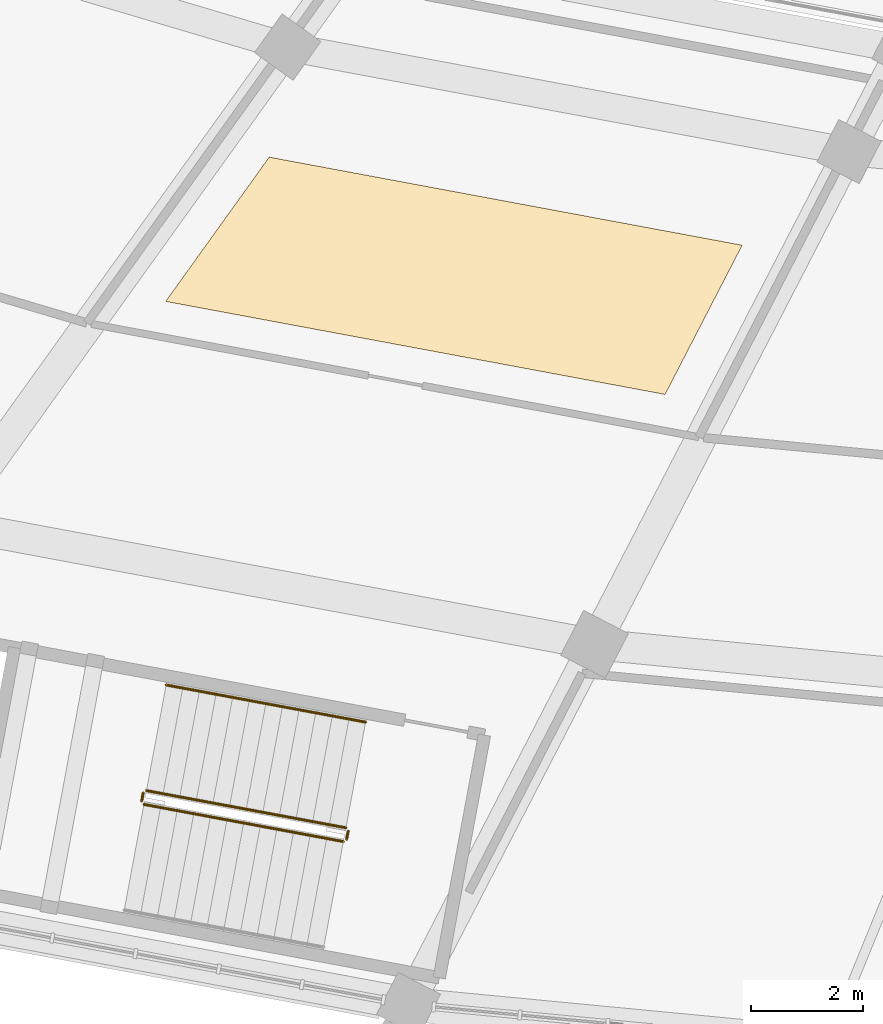
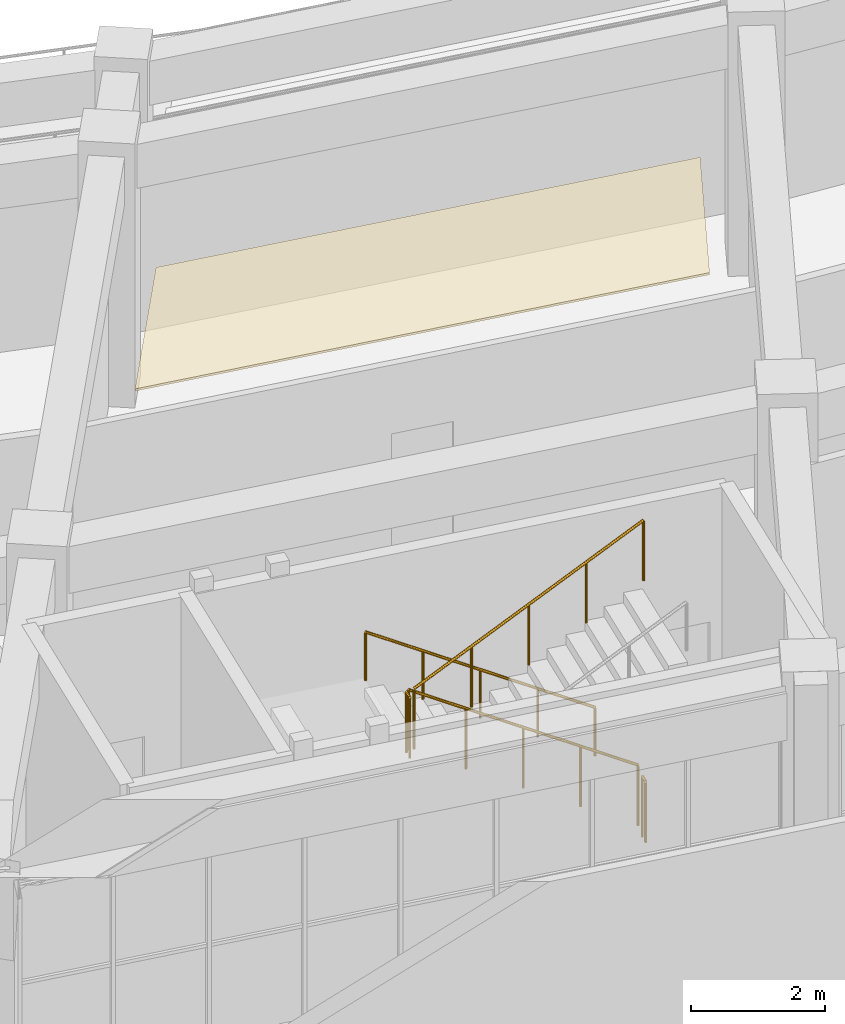
# One storey, part 125 of 152: 5 railings, 1 covering.
"""IFC4 building model written with IfcOpenShell, lengths in metres."""

from ifc_helpers import new_model, si_unit, direction, frame, origin, origin_2d, place, context, subcontext, project, spatial, polyline, circle, outline, extrude, material, layer, layer_set, type_object, element, save


model = new_model("IFC4")

# Units and contexts
model_context = context("Model", 3, precision=1e-05, world=origin(), true_north=direction((0.0, 1.0)))
body_context = subcontext(model_context, "Body", "Model", "MODEL_VIEW")
ifc_project = project(units=[si_unit("LENGTHUNIT", "METRE"), si_unit("AREAUNIT", "SQUARE_METRE"), si_unit("VOLUMEUNIT", "CUBIC_METRE"), si_unit("PLANEANGLEUNIT", "RADIAN"), si_unit("MASSUNIT", "GRAM", prefix="KILO")], contexts=[model_context])

# Site, building, storey
site_placement = place(None, origin())
site = spatial("IfcSite", under=ifc_project, at=site_placement, CompositionType="ELEMENT")
building_placement = place(site_placement, origin())
building = spatial("IfcBuilding", under=site, at=building_placement, Name="Mphavela Belvedere Stadium", CompositionType="ELEMENT")
storey_placement = place(building_placement, frame((0.0, 0.0, 5.39990234375)))
storey = spatial("IfcBuildingStorey", under=building, at=storey_placement, Name="L01", CompositionType="ELEMENT", Elevation=5.39990234375)

# Covering
ifc_material_1 = material(Name="Perforated acoustic mineral ceiling tile")
ifc_layer = layer(ifc_material_1, 0.0400390625)
ifc_layer_set = layer_set([ifc_layer], Name="Perforated acoustic mineral ceiling tile")
covering_type = type_object("IfcCoveringType", Name="COV-CEILING-ACOUSTIC", PredefinedType="CEILING", material=ifc_layer_set)
covering_placement = place(storey_placement, frame((0.0, 0.0, 3.5)))
element("IfcCovering", 1, at=covering_placement, inside=storey, type_object=covering_type, Name="Concourse acoustic ceiling L01-34", PredefinedType="CEILING", context=body_context, shape_type="SweptSolid", body=[
    extrude(outline(polyline([(75.439453125, 30.367431640625), (83.8876953125, 28.7939453125), (82.510986328125, 26.129150390625), (73.590087890625, 27.79052734375), (75.439453125, 30.367431640625)])), origin(), (0.0, 0.0, 1.0), 0.0400390625),
])

# Railings
ifc_material_2 = material(Name="Painted galvanised steel stair guardrail", Category="steel")
railing_type_1 = type_object("IfcRailingType", Name="RAL-GUARD-1120", PredefinedType="GUARDRAIL", material=ifc_material_2)
railing_1_placement = place(storey_placement, frame((76.809814453125, 18.387939453125, 0.184814453125)))
element("IfcRailing", 2, at=railing_1_placement, inside=storey, type_object=railing_type_1, Name="L01 ST-C11 stair guard 1", PredefinedType="GUARDRAIL", context=body_context, shape_type="SweptSolid", body=[
    extrude(circle(Radius=0.02392578125, at=origin_2d()), frame((0.0, 0.0, 1.09619140625), z_axis=(-0.838788087983, 0.156227370872, 0.521562606068), x_axis=(-0.183104767783, -0.983093405539, 0.0)), (0.0, 0.0, 1.0), 4.24755859375),
    extrude(circle(Radius=0.02099609375, at=origin_2d()), origin(), (0.0, 0.0, 1.0), 1.072021484375),
    extrude(circle(Radius=0.02099609375, at=origin_2d()), frame((-0.890625, 0.166015625, 0.5537109375)), (0.0, 0.0, 1.0), 1.072021484375),
    extrude(circle(Radius=0.02099609375, at=origin_2d()), frame((-1.78125, 0.331787109375, 1.107666015625)), (0.0, 0.0, 1.0), 1.072021484375),
    extrude(circle(Radius=0.02099609375, at=origin_2d()), frame((-2.672119140625, 0.49755859375, 1.66162109375)), (0.0, 0.0, 1.0), 1.072021484375),
    extrude(circle(Radius=0.02099609375, at=origin_2d()), frame((-3.562744140625, 0.66357421875, 2.21533203125)), (0.0, 0.0, 1.0), 1.072021484375),
])
railing_2_placement = place(storey_placement, frame((73.188720703125, 19.011474609375, 2.400146484375)))
element("IfcRailing", 3, at=railing_2_placement, inside=storey, type_object=railing_type_1, Name="L01 ST-C11 stair guard 2", PredefinedType="GUARDRAIL", context=body_context, shape_type="SweptSolid", body=[
    extrude(circle(Radius=0.02392578125, at=origin_2d()), frame((0.0, 0.0, 1.09619140625), z_axis=(-0.182322426032, -0.983238797529, 0.0), x_axis=(0.983238797529, -0.182322426032, 0.0)), (0.0, 0.0, 1.0), 0.14990234375),
    extrude(circle(Radius=0.02099609375, at=origin_2d()), origin(), (0.0, 0.0, 1.0), 1.072021484375),
    extrude(circle(Radius=0.02099609375, at=origin_2d()), frame((-0.02734375, -0.1474609375, 0.0)), (0.0, 0.0, 1.0), 1.072021484375),
])
railing_3_placement = place(storey_placement, frame((73.201416015625, 18.8056640625, 2.584716796875)))
element("IfcRailing", 4, at=railing_3_placement, inside=storey, type_object=railing_type_1, Name="L01 ST-C11 stair guard 3", PredefinedType="GUARDRAIL", context=body_context, shape_type="SweptSolid", body=[
    extrude(circle(Radius=0.02392578125, at=origin_2d()), frame((0.0, 0.0, 1.09619140625), z_axis=(0.838788087983, -0.156227370872, 0.521562606068), x_axis=(0.183104767783, 0.983093405539, 0.0)), (0.0, 0.0, 1.0), 4.24755859375),
    extrude(circle(Radius=0.02099609375, at=origin_2d()), origin(), (0.0, 0.0, 1.0), 1.072021484375),
    extrude(circle(Radius=0.02099609375, at=origin_2d()), frame((0.890625, -0.166015625, 0.5537109375)), (0.0, 0.0, 1.0), 1.072021484375),
    extrude(circle(Radius=0.02099609375, at=origin_2d()), frame((1.78125, -0.331787109375, 1.107666015625)), (0.0, 0.0, 1.0), 1.072021484375),
    extrude(circle(Radius=0.02099609375, at=origin_2d()), frame((2.672119140625, -0.49755859375, 1.66162109375)), (0.0, 0.0, 1.0), 1.072021484375),
    extrude(circle(Radius=0.02099609375, at=origin_2d()), frame((3.562744140625, -0.66357421875, 2.21533203125)), (0.0, 0.0, 1.0), 1.072021484375),
])
railing_4_placement = place(storey_placement, frame((76.849853515625, 18.32958984375, 0.0)))
element("IfcRailing", 5, at=railing_4_placement, inside=storey, type_object=railing_type_1, Name="L01 ST-C11 stair guard 4", PredefinedType="GUARDRAIL", context=body_context, shape_type="SweptSolid", body=[
    extrude(circle(Radius=0.02392578125, at=origin_2d()), frame((0.0, 0.0, 1.09619140625), z_axis=(-0.182322426032, -0.983238797529, 0.0), x_axis=(0.983238797529, -0.182322426032, 0.0)), (0.0, 0.0, 1.0), 0.14990234375),
    extrude(circle(Radius=0.02099609375, at=origin_2d()), origin(), (0.0, 0.0, 1.0), 1.072021484375),
    extrude(circle(Radius=0.02099609375, at=origin_2d()), frame((-0.02734375, -0.1474609375, 0.0)), (0.0, 0.0, 1.0), 1.072021484375),
])
ifc_material_3 = material(Name="Brushed stainless steel tubular handrail", Category="steel")
railing_type_2 = type_object("IfcRailingType", Name="RAL-HANDRAIL-900", PredefinedType="HANDRAIL", material=ifc_material_3)
railing_5_placement = place(storey_placement, frame((77.161376953125, 20.275390625, 0.184814453125)))
element("IfcRailing", 6, at=railing_5_placement, inside=storey, type_object=railing_type_2, Name="L01 ST-C11 stair handrail 1", PredefinedType="HANDRAIL", context=body_context, shape_type="SweptSolid", body=[
    extrude(circle(Radius=0.02392578125, at=origin_2d()), frame((0.0, 0.0, 0.8759765625), z_axis=(-0.838788087983, 0.156227370872, 0.521562606068), x_axis=(-0.183104767783, -0.983093405539, 0.0)), (0.0, 0.0, 1.0), 4.24755859375),
    extrude(circle(Radius=0.02099609375, at=origin_2d()), origin(), (0.0, 0.0, 1.0), 0.851806640625),
    extrude(circle(Radius=0.02099609375, at=origin_2d()), frame((-0.890625, 0.166015625, 0.5537109375)), (0.0, 0.0, 1.0), 0.851806640625),
    extrude(circle(Radius=0.02099609375, at=origin_2d()), frame((-1.78125, 0.331787109375, 1.107666015625)), (0.0, 0.0, 1.0), 0.851806640625),
    extrude(circle(Radius=0.02099609375, at=origin_2d()), frame((-2.672119140625, 0.49755859375, 1.66162109375)), (0.0, 0.0, 1.0), 0.851806640625),
    extrude(circle(Radius=0.02099609375, at=origin_2d()), frame((-3.562744140625, 0.66357421875, 2.21533203125)), (0.0, 0.0, 1.0), 0.851806640625),
])

save(model, "model.ifc")
